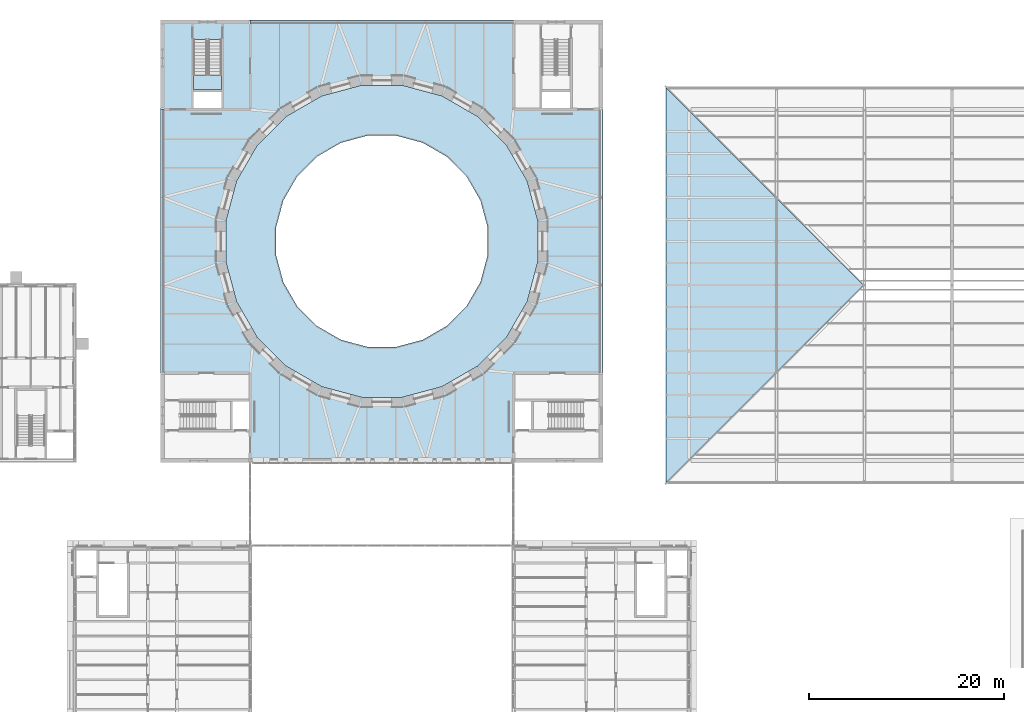
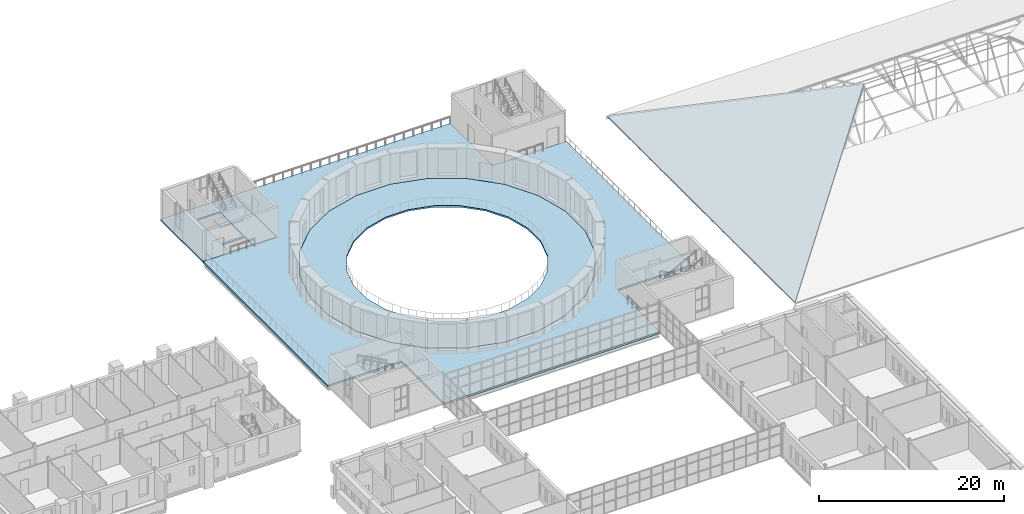
# One storey, part 96 of 154: 5 slabs, 1 element without a shape of its own.
"""IFC4 building model written with IfcOpenShell, lengths in metres."""

from ifc_helpers import new_model, si_unit, direction, frame, origin, place, context, subcontext, project, spatial, polyline, outline, extrude, material, layer, layer_set, type_object, element, aggregate, save


model = new_model("IFC4")

# Units and contexts
model_context = context("Model", 3, precision=1e-05, world=origin(), true_north=direction((0.0, 1.0)))
body_context = subcontext(model_context, "Body", "Model", "MODEL_VIEW")
ifc_project = project(units=[si_unit("LENGTHUNIT", "METRE"), si_unit("AREAUNIT", "SQUARE_METRE"), si_unit("VOLUMEUNIT", "CUBIC_METRE"), si_unit("PLANEANGLEUNIT", "RADIAN"), si_unit("MASSUNIT", "GRAM", prefix="KILO")], contexts=[model_context])

# Site, building, storey
site_placement = place(None, origin())
site = spatial("IfcSite", under=ifc_project, at=site_placement, CompositionType="ELEMENT")
building_placement = place(site_placement, origin())
building = spatial("IfcBuilding", under=site, at=building_placement, Name="Golden Quay Civic Hall", CompositionType="ELEMENT")
storey_placement = place(building_placement, frame((0.0, 0.0, 14.39990234375)))
storey = spatial("IfcBuildingStorey", under=building, at=storey_placement, Name="L03", CompositionType="ELEMENT", Elevation=14.39990234375)

# Slabs
ifc_material_1 = material(Name="Concrete C35/45", Category="concrete")
ifc_layer_1 = layer(ifc_material_1, 0.199951171875)
ifc_layer_set_1 = layer_set([ifc_layer_1], Name="Composite floor 200")
slab_type_1 = type_object("IfcSlabType", Name="Composite floor 200", PredefinedType="FLOOR", material=ifc_layer_set_1)
slab_1_placement = place(storey_placement, frame((0.0, 0.0, -0.199951171875)))
element("IfcSlab", 1, at=slab_1_placement, inside=storey, type_object=slab_type_1, Name="Slab", PredefinedType="FLOOR", context=body_context, shape_type="SweptSolid", body=[
    extrude(outline(polyline([(72.0, 108.199951171875), (72.0, 99.0), (62.800048828125, 99.0), (62.800048828125, 108.199951171875), (72.0, 108.199951171875)]), holes=[polyline([(69.050048828125, 99.14990234375), (69.050048828125, 100.800048828125), (66.199951171875, 100.800048828125), (66.199951171875, 99.14990234375), (69.050048828125, 99.14990234375)]), polyline([(69.050048828125, 101.050048828125), (69.050048828125, 106.195068359375), (66.199951171875, 106.195068359375), (66.199951171875, 101.050048828125), (69.050048828125, 101.050048828125)])]), origin(), (0.0, 0.0, 1.0), 0.199951171875),
])
ifc_material_2 = material(Name="Concrete C35/45", Category="concrete")
ifc_layer_2 = layer(ifc_material_2, 0.25)
ifc_layer_set_2 = layer_set([ifc_layer_2], Name="Composite terrace roof 250")
slab_type_2 = type_object("IfcSlabType", Name="Composite terrace roof 250", PredefinedType="ROOF", material=ifc_layer_set_2)
slab_2_placement = place(storey_placement, frame((0.0, 0.0, -0.25)))
element("IfcSlab", 2, at=slab_2_placement, inside=storey, type_object=slab_type_2, Name="Roof slab", PredefinedType="ROOF", context=body_context, shape_type="SweptSolid", body=[
    extrude(outline(polyline([(99.0, 62.800048828125), (72.0, 62.800048828125), (72.0, 72.0), (62.800048828125, 72.0), (62.800048828125, 99.0), (72.0, 99.0), (72.0, 108.199951171875), (99.0, 108.199951171875), (99.0, 99.0), (108.199951171875, 99.0), (108.199951171875, 72.0), (99.0, 72.0), (99.0, 62.800048828125)]), holes=[polyline([(98.30322265625, 95.32421875), (95.32421875, 98.30322265625), (91.67578125, 100.40966796875), (87.6064453125, 101.5), (83.3935546875, 101.5), (79.32421875, 100.40966796875), (75.67578125, 98.30322265625), (72.69677734375, 95.32421875), (70.59033203125, 91.67578125), (69.5, 87.6064453125), (69.5, 83.3935546875), (70.59033203125, 79.32421875), (72.69677734375, 75.67578125), (75.67578125, 72.69677734375), (79.32421875, 70.59033203125), (83.3935546875, 69.5), (87.6064453125, 69.5), (91.67578125, 70.59033203125), (95.32421875, 72.69677734375), (98.30322265625, 75.67578125), (100.40966796875, 79.32421875), (101.5, 83.3935546875), (101.5, 87.6064453125), (100.40966796875, 91.67578125), (98.30322265625, 95.32421875)])]), origin(), (0.0, 0.0, 1.0), 0.25),
])
ifc_material_3 = material(Name="Concrete C35/45", Category="concrete")
ifc_layer_3 = layer(ifc_material_3, 0.14990234375)
ifc_layer_set_3 = layer_set([ifc_layer_3], Name="Concrete roof deck 150, Concrete C35/45")
slab_type_3 = type_object("IfcSlabType", Name="Concrete roof deck 150", PredefinedType="ROOF", material=ifc_layer_set_3)
slab_3_placement = place(storey_placement, frame((114.669921875, 60.76904296875, -0.35009765625), z_axis=(-0.422613619875, 0.0, 0.90630995156), x_axis=(0.0, 1.0, 0.0)))
element("IfcSlab", 3, at=slab_3_placement, inside=storey, type_object=slab_type_3, Name="Roof deck west", PredefinedType="ROOF", context=body_context, shape_type="SweptSolid", body=[
    extrude(outline(polyline([(0.0, 0.0), (40.4619140625, 0.0), (20.23095703125, -22.32260733434758), (0.0, 0.0)])), origin(), (0.0, 0.422613619875, -0.90630995156), 0.16552734375),
])
ifc_material_4 = material(Name="Concrete C35/45", Category="concrete")
ifc_layer_4 = layer(ifc_material_4, 0.199951171875)
ifc_layer_set_4 = layer_set([ifc_layer_4], Name="Gallery floor 200")
slab_type_4 = type_object("IfcSlabType", Name="Gallery floor 200", PredefinedType="FLOOR", material=ifc_layer_set_4)
slab_4_placement = place(storey_placement, frame((0.0, 0.0, -0.199951171875)))
element("IfcSlab", 4, at=slab_4_placement, inside=storey, type_object=slab_type_4, Name="Gallery floor slab", PredefinedType="FLOOR", context=body_context, shape_type="SweptSolid", body=[
    extrude(outline(polyline([(100.40966796875, 79.32421875), (98.30322265625, 75.67578125), (95.32421875, 72.69677734375), (91.67578125, 70.59033203125), (87.6064453125, 69.5), (83.3935546875, 69.5), (79.32421875, 70.59033203125), (75.67578125, 72.69677734375), (72.69677734375, 75.67578125), (70.59033203125, 79.32421875), (69.5, 83.3935546875), (69.5, 87.6064453125), (70.59033203125, 91.67578125), (72.69677734375, 95.32421875), (75.67578125, 98.30322265625), (79.32421875, 100.40966796875), (83.3935546875, 101.5), (87.6064453125, 101.5), (91.67578125, 100.40966796875), (95.32421875, 98.30322265625), (98.30322265625, 95.32421875), (100.40966796875, 91.67578125), (101.5, 87.6064453125), (101.5, 83.3935546875), (100.40966796875, 79.32421875)]), holes=[polyline([(94.18212890625, 92.162109375), (92.162109375, 94.18212890625), (89.68798828125, 95.610595703125), (86.928466796875, 96.35009765625), (84.071533203125, 96.35009765625), (81.31201171875, 95.610595703125), (78.837890625, 94.18212890625), (76.81787109375, 92.162109375), (75.389404296875, 89.68798828125), (74.64990234375, 86.928466796875), (74.64990234375, 84.071533203125), (75.389404296875, 81.31201171875), (76.81787109375, 78.837890625), (78.837890625, 76.81787109375), (81.31201171875, 75.389404296875), (84.071533203125, 74.64990234375), (86.928466796875, 74.64990234375), (89.68798828125, 75.389404296875), (92.162109375, 76.81787109375), (94.18212890625, 78.837890625), (95.610595703125, 81.31201171875), (96.35009765625, 84.071533203125), (96.35009765625, 86.928466796875), (95.610595703125, 89.68798828125), (94.18212890625, 92.162109375)])]), origin(), (0.0, 0.0, 1.0), 0.199951171875),
])

# Stair, slab
ifc_material_5 = material(Name="Concrete C35/45", Category="concrete")
stair_type = type_object("IfcStairType", Name="Reinforced concrete stair 1350", PredefinedType="HALF_TURN_STAIR", material=ifc_material_5)
stair_placement = place(storey_placement, origin())
stair = element("IfcStair", 5, at=stair_placement, inside=storey, type_object=stair_type, Name="L03 Core stair NW", PredefinedType="HALF_TURN_STAIR")
ifc_material_6 = material(Name="Concrete C35/45", Category="concrete")
ifc_layer_5 = layer(ifc_material_6, 0.199951171875)
ifc_layer_set_5 = layer_set([ifc_layer_5], Name="Reinforced concrete stair landing 200, Concrete C35/45")
slab_type_5 = type_object("IfcSlabType", Name="Reinforced concrete stair landing 200", PredefinedType="LANDING", material=ifc_layer_set_5)
slab_5_placement = place(storey_placement, frame((0.0, 0.0, 1.900146484375)))
slab_5 = element("IfcSlab", 6, at=slab_5_placement, type_object=slab_type_5, Name="CB-NW landing 1", PredefinedType="LANDING", context=body_context, shape_type="SweptSolid", body=[
    extrude(outline(polyline([(66.199951171875, 102.570068359375), (66.199951171875, 101.050048828125), (69.050048828125, 101.050048828125), (69.050048828125, 102.570068359375), (66.199951171875, 102.570068359375)])), origin(), (0.0, 0.0, 1.0), 0.199951171875),
])
aggregate(stair, [slab_5])

save(model, "model.ifc")
